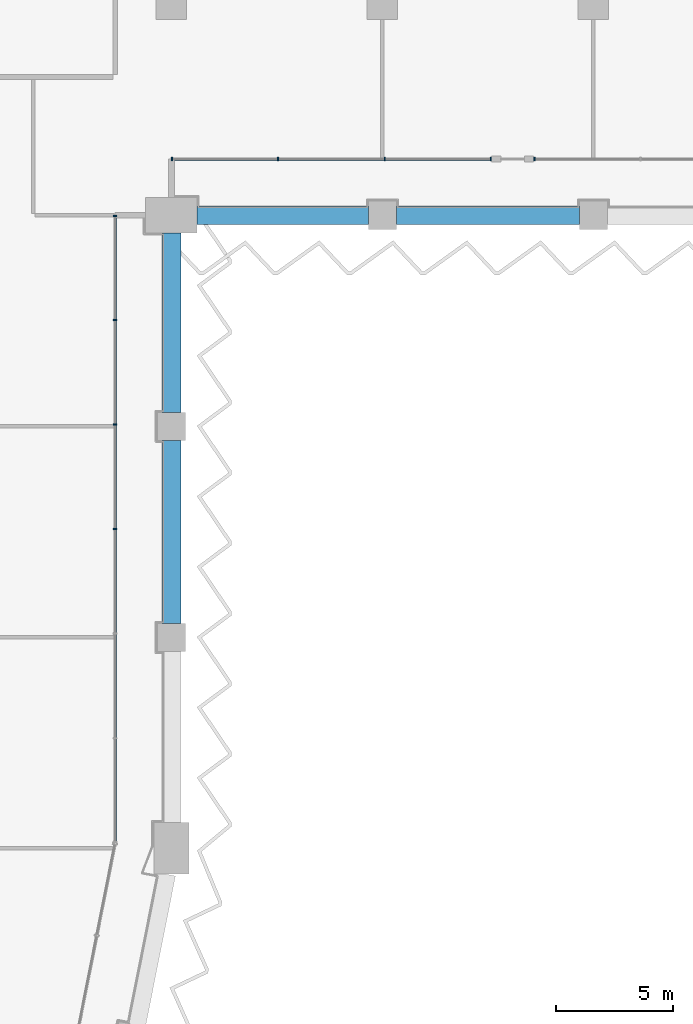
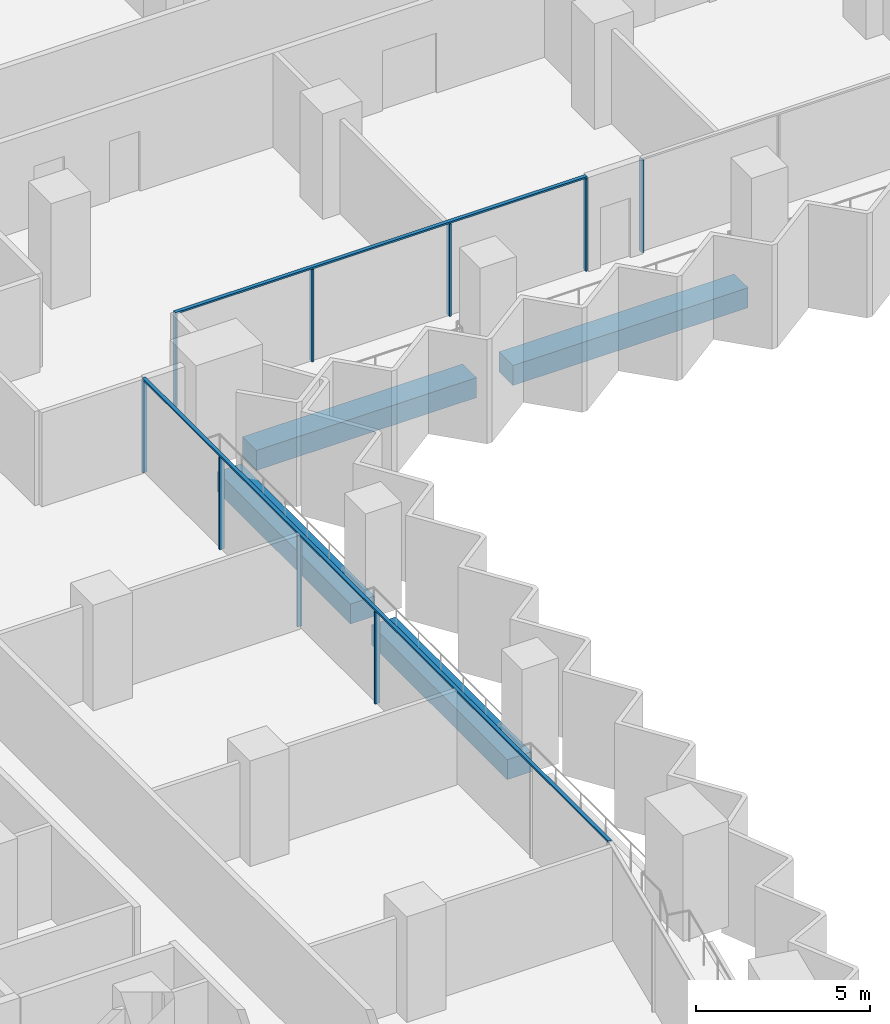
# One storey, part 4 of 22: 11 members, 4 beams, 3 elements without a shape of their own.
"""IFC4 building model written with IfcOpenShell, lengths in metres."""

from ifc_helpers import new_model, si_unit, direction, frame, origin, origin_2d, place, context, subcontext, project, spatial, rectangle, extrude, material, material_profile, profile_set, type_object, element, aggregate, save


model = new_model("IFC4")

# Units and contexts
model_context = context("Model", 3, precision=1e-05, world=origin(), true_north=direction((0.0, 1.0)))
body_context = subcontext(model_context, "Body", "Model", "MODEL_VIEW")
ifc_project = project(units=[si_unit("LENGTHUNIT", "METRE"), si_unit("AREAUNIT", "SQUARE_METRE"), si_unit("VOLUMEUNIT", "CUBIC_METRE"), si_unit("PLANEANGLEUNIT", "RADIAN"), si_unit("MASSUNIT", "GRAM", prefix="KILO")], contexts=[model_context])

# Site, building, storey
site_placement = place(None, origin())
site = spatial("IfcSite", under=ifc_project, at=site_placement, CompositionType="ELEMENT")
building_placement = place(site_placement, origin())
building = spatial("IfcBuilding", under=site, at=building_placement, Name="Hunhe Ridgeline Campus", CompositionType="ELEMENT")
storey_placement = place(building_placement, frame((0.0, 0.0, 118.10009765625)))
storey = spatial("IfcBuildingStorey", under=building, at=storey_placement, Name="L29", CompositionType="ELEMENT", Elevation=118.10009765625)

# Curtain wall, members
ifc_material_1 = material(Name="Aluminium 6063", Category="aluminium")
curtain_wall_type = type_object("IfcCurtainWallType", Name="Curtain wall CW-1", PredefinedType="NOTDEFINED", material=ifc_material_1)
curtain_wall_1_placement = place(storey_placement, origin())
curtain_wall_1 = element("IfcCurtainWall", 1, at=curtain_wall_1_placement, inside=storey, type_object=curtain_wall_type, Name="Curtain wall 11", PredefinedType="NOTDEFINED")
ifc_material_profile_1 = material_profile(ifc_material_1, rectangle(XDim=0.159912109375, YDim=0.06005859375, at=origin_2d()))
ifc_profile_set_1 = profile_set([ifc_material_profile_1], Name="Aluminium 6063")
member_type_1 = type_object("IfcMemberType", Name="CW-1 aluminium mullion", PredefinedType="MULLION", material=ifc_profile_set_1)
member_1_placement = place(storey_placement, frame((42.59912109375, 40.61865234375, 0.0), z_axis=(0.0, 0.0, 1.0), x_axis=(-0.99999999994, 1.0947456e-05, 0.0)))
member_1 = element("IfcMember", 2, at=member_1_placement, type_object=member_type_1, Name="CW-1 mullion 4", PredefinedType="MULLION", context=body_context, shape_type="SweptSolid", body=[
    extrude(rectangle(XDim=0.159912109375, YDim=0.06005859375, at=origin_2d()), origin(), (0.0, 0.0, 1.0), 3.239990234375),
])
member_2_placement = place(storey_placement, frame((42.59912109375, 45.079345703125, 0.0), z_axis=(0.0, 0.0, 1.0), x_axis=(-0.99999999994, 1.0947456e-05, 0.0)))
member_2 = element("IfcMember", 3, at=member_2_placement, type_object=member_type_1, Name="CW-1 mullion 5", PredefinedType="MULLION", context=body_context, shape_type="SweptSolid", body=[
    extrude(rectangle(XDim=0.159912109375, YDim=0.06005859375, at=origin_2d()), origin(), (0.0, 0.0, 1.0), 3.239990234375),
])
member_3_placement = place(storey_placement, frame((42.599365234375, 49.5400390625, 0.0), z_axis=(0.0, 0.0, 1.0), x_axis=(-0.99999999994, 1.0947456e-05, 0.0)))
member_3 = element("IfcMember", 4, at=member_3_placement, type_object=member_type_1, Name="CW-1 mullion 6", PredefinedType="MULLION", context=body_context, shape_type="SweptSolid", body=[
    extrude(rectangle(XDim=0.159912109375, YDim=0.06005859375, at=origin_2d()), origin(), (0.0, 0.0, 1.0), 3.239990234375),
])
member_4_placement = place(storey_placement, frame((42.599365234375, 53.970703125, 0.0), z_axis=(0.0, 0.0, 1.0), x_axis=(-0.99999999994, 1.0947456e-05, 0.0)))
member_4 = element("IfcMember", 5, at=member_4_placement, type_object=member_type_1, Name="CW-1 mullion 7", PredefinedType="MULLION", context=body_context, shape_type="SweptSolid", body=[
    extrude(rectangle(XDim=0.159912109375, YDim=0.06005859375, at=origin_2d()), origin(), (0.0, 0.0, 1.0), 3.239990234375),
])

curtain_wall_2_placement = place(storey_placement, origin())
curtain_wall_2 = element("IfcCurtainWall", 6, at=curtain_wall_2_placement, inside=storey, type_object=curtain_wall_type, Name="Curtain wall 12", PredefinedType="NOTDEFINED")
member_5_placement = place(storey_placement, frame((45.02978515625, 56.40087890625, 0.0), z_axis=(0.0, 0.0, 1.0), x_axis=(-1.4652e-07, 1.0, 0.0)))
member_5 = element("IfcMember", 7, at=member_5_placement, type_object=member_type_1, Name="CW-1 mullion 1", PredefinedType="MULLION", context=body_context, shape_type="SweptSolid", body=[
    extrude(rectangle(XDim=0.159912109375, YDim=0.06005859375, at=origin_2d()), origin(), (0.0, 0.0, 1.0), 3.239990234375),
])
member_6_placement = place(storey_placement, frame((49.5498046875, 56.40087890625, 0.0), z_axis=(0.0, 0.0, 1.0), x_axis=(-1.4652e-07, 1.0, 0.0)))
member_6 = element("IfcMember", 8, at=member_6_placement, type_object=member_type_1, Name="CW-1 mullion 2", PredefinedType="MULLION", context=body_context, shape_type="SweptSolid", body=[
    extrude(rectangle(XDim=0.159912109375, YDim=0.06005859375, at=origin_2d()), origin(), (0.0, 0.0, 1.0), 3.239990234375),
])
member_7_placement = place(storey_placement, frame((54.099609375, 56.40087890625, 0.0), z_axis=(0.0, 0.0, 1.0), x_axis=(-1.4652e-07, 1.0, 0.0)))
member_7 = element("IfcMember", 9, at=member_7_placement, type_object=member_type_1, Name="CW-1 mullion 3", PredefinedType="MULLION", context=body_context, shape_type="SweptSolid", body=[
    extrude(rectangle(XDim=0.159912109375, YDim=0.06005859375, at=origin_2d()), origin(), (0.0, 0.0, 1.0), 3.239990234375),
])
member_8_placement = place(storey_placement, frame((58.619384765625, 56.40087890625, 0.0), z_axis=(0.0, 0.0, 1.0), x_axis=(-1.4652e-07, 1.0, 0.0)))
member_8 = element("IfcMember", 10, at=member_8_placement, type_object=member_type_1, Name="CW-1 mullion 4", PredefinedType="MULLION", context=body_context, shape_type="SweptSolid", body=[
    extrude(rectangle(XDim=0.159912109375, YDim=0.06005859375, at=origin_2d()), origin(), (0.0, 0.0, 1.0), 3.239990234375),
])

# Curtain wall, member
curtain_wall_3_placement = place(storey_placement, origin())
curtain_wall_3 = element("IfcCurtainWall", 11, at=curtain_wall_3_placement, inside=storey, type_object=curtain_wall_type, Name="Curtain wall 13", PredefinedType="NOTDEFINED")
member_9_placement = place(storey_placement, frame((60.4794921875, 56.40087890625, 0.0), z_axis=(0.0, 0.0, 1.0), x_axis=(-1.4652e-07, 1.0, 0.0)))
member_9 = element("IfcMember", 12, at=member_9_placement, type_object=member_type_1, Name="CW-1 mullion 1", PredefinedType="MULLION", context=body_context, shape_type="SweptSolid", body=[
    extrude(rectangle(XDim=0.159912109375, YDim=0.06005859375, at=origin_2d()), origin(), (0.0, 0.0, 1.0), 3.239990234375),
])
aggregate(curtain_wall_3, [member_9])

# Member
ifc_material_profile_2 = material_profile(ifc_material_1, rectangle(XDim=0.1201171875, YDim=0.06005859375, at=origin_2d()))
ifc_profile_set_2 = profile_set([ifc_material_profile_2], Name="Aluminium 6063")
member_type_2 = type_object("IfcMemberType", Name="CW-1 aluminium transom", PredefinedType="USERDEFINED", material=ifc_profile_set_2)
member_10_placement = place(storey_placement, frame((42.59912109375, 27.236572265625, 3.27001953125), z_axis=(9.121924e-06, 0.999999999958, 0.0), x_axis=(-0.999999999958, 9.121924e-06, 0.0)))
member_10 = element("IfcMember", 13, at=member_10_placement, type_object=member_type_2, Name="CW-1 transom 1", ObjectType="TRANSOM", PredefinedType="USERDEFINED", context=body_context, shape_type="SweptSolid", body=[
    extrude(rectangle(XDim=0.1201171875, YDim=0.06005859375, at=origin_2d()), origin(), (0.0, 0.0, 1.0), 26.76416015625),
])

aggregate(curtain_wall_1, [member_10, member_1, member_2, member_3, member_4])

member_11_placement = place(storey_placement, frame((45.0, 56.40087890625, 3.27001953125), z_axis=(1.0, 0.0, 0.0), x_axis=(0.0, 1.0, 0.0)))
member_11 = element("IfcMember", 14, at=member_11_placement, type_object=member_type_2, Name="CW-1 transom 1", ObjectType="TRANSOM", PredefinedType="USERDEFINED", context=body_context, shape_type="SweptSolid", body=[
    extrude(rectangle(XDim=0.1201171875, YDim=0.06005859375, at=origin_2d()), origin(), (0.0, 0.0, 1.0), 13.6494140625),
])

aggregate(curtain_wall_2, [member_11, member_5, member_6, member_7, member_8])

# Beams
ifc_material_2 = material(Name="Concrete C60", Category="concrete")
ifc_material_profile_3 = material_profile(ifc_material_2, rectangle(XDim=0.800048828125, YDim=0.699951171875, at=origin_2d()))
ifc_profile_set_3 = profile_set([ifc_material_profile_3], Name="Concrete C60")
beam_type = type_object("IfcBeamType", Name="RC spandrel beam 800x700 Concrete C60", PredefinedType="SPANDREL", material=ifc_profile_set_3)
beam_1_placement = place(storey_placement, frame((45.0, 36.60009765625, -0.60009765625), z_axis=(0.0, 1.0, 0.0), x_axis=(-1.0, 0.0, 0.0)))
element("IfcBeam", 15, at=beam_1_placement, inside=storey, type_object=beam_type, Name="Spandrel beam B1-10 L29", PredefinedType="SPANDREL", context=body_context, shape_type="SweptSolid", body=[
    extrude(rectangle(XDim=0.800048828125, YDim=0.699951171875, at=origin_2d()), origin(), (0.0, 0.0, 1.0), 7.7998046875),
])
beam_2_placement = place(storey_placement, frame((45.0, 45.60009765625, -0.60009765625), z_axis=(0.0, 1.0, 0.0), x_axis=(-1.0, 0.0, 0.0)))
element("IfcBeam", 16, at=beam_2_placement, inside=storey, type_object=beam_type, Name="Spandrel beam B1-11 L29", PredefinedType="SPANDREL", context=body_context, shape_type="SweptSolid", body=[
    extrude(rectangle(XDim=0.800048828125, YDim=0.699951171875, at=origin_2d()), origin(), (0.0, 0.0, 1.0), 7.64990234375),
])
beam_3_placement = place(storey_placement, frame((46.10009765625, 54.0, -0.60009765625), z_axis=(1.0, 0.0, 0.0), x_axis=(0.0, 1.0, 0.0)))
element("IfcBeam", 17, at=beam_3_placement, inside=storey, type_object=beam_type, Name="Spandrel beam B1-12 L29", PredefinedType="SPANDREL", context=body_context, shape_type="SweptSolid", body=[
    extrude(rectangle(XDim=0.800048828125, YDim=0.699951171875, at=origin_2d()), origin(), (0.0, 0.0, 1.0), 7.2998046875),
])
beam_4_placement = place(storey_placement, frame((54.60009765625, 54.0, -0.60009765625), z_axis=(1.0, 0.0, 0.0), x_axis=(0.0, 1.0, 0.0)))
element("IfcBeam", 18, at=beam_4_placement, inside=storey, type_object=beam_type, Name="Spandrel beam B1-13 L29", PredefinedType="SPANDREL", context=body_context, shape_type="SweptSolid", body=[
    extrude(rectangle(XDim=0.800048828125, YDim=0.699951171875, at=origin_2d()), origin(), (0.0, 0.0, 1.0), 7.7998046875),
])

save(model, "model.ifc")
